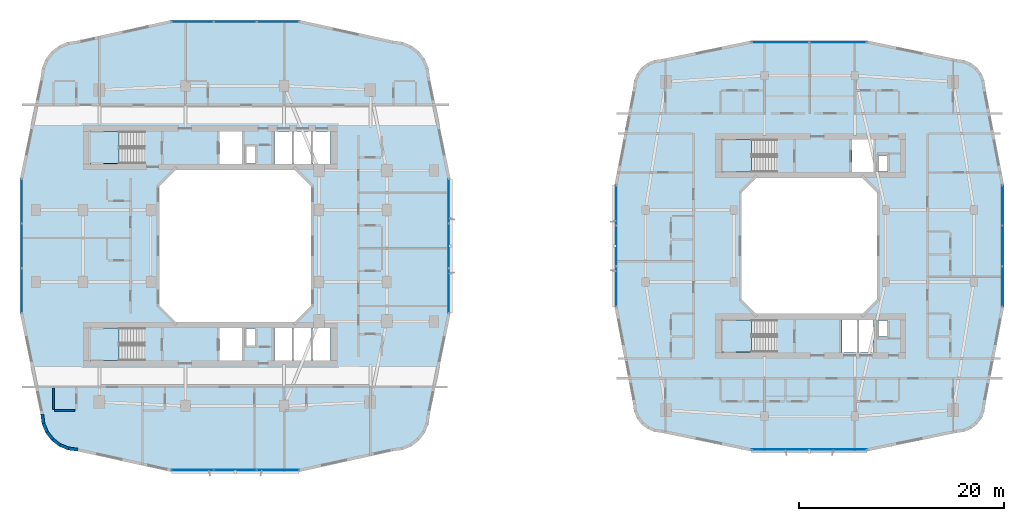
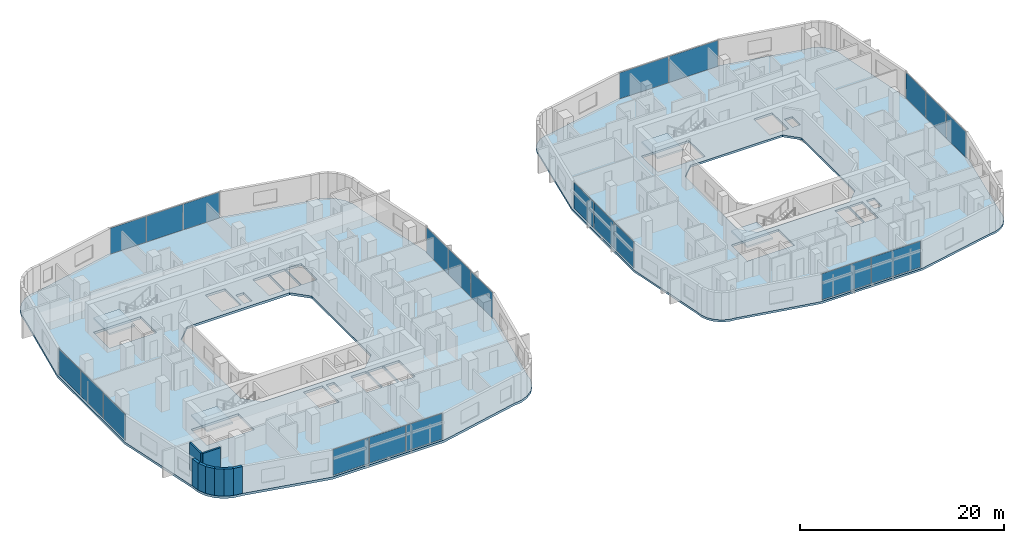
# One storey, part 12 of 27: 22 plates, 8 walls, 6 slabs, 12 elements without a shape of their own.
"""IFC4 building model written with IfcOpenShell, lengths in metres."""

from ifc_helpers import new_model, si_unit, derived_unit, direction, frame, frame_2d, origin, origin_2d, place, context, subcontext, project, spatial, polyline, rectangle, outline, extrude, material, layer, layer_set, type_object, element, aggregate, save


model = new_model("IFC4")

# Units and contexts
model_context = context("Model", 3, precision=1e-05, world=origin(), true_north=direction((0.0, 1.0)))
body_context = subcontext(model_context, "Body", "Model", "MODEL_VIEW")
ifc_project = project(units=[si_unit("LENGTHUNIT", "METRE"), si_unit("AREAUNIT", "SQUARE_METRE"), si_unit("VOLUMEUNIT", "CUBIC_METRE"), si_unit("PLANEANGLEUNIT", "RADIAN"), si_unit("MASSUNIT", "GRAM", prefix="KILO"), derived_unit("THERMALTRANSMITTANCEUNIT", [(si_unit("POWERUNIT", "WATT"), 1), (si_unit("LENGTHUNIT", "METRE"), -2), (si_unit("THERMODYNAMICTEMPERATUREUNIT", "KELVIN"), -1)])], contexts=[model_context])

# Site, building, storey
site_placement = place(None, origin())
site = spatial("IfcSite", under=ifc_project, at=site_placement, CompositionType="ELEMENT")
building_placement = place(site_placement, origin())
building = spatial("IfcBuilding", under=site, at=building_placement, Name="Kivonza Crest Hotel", CompositionType="ELEMENT")
storey_placement = place(building_placement, frame((0.0, 0.0, 38.0)))
storey = spatial("IfcBuildingStorey", under=building, at=storey_placement, Name="L09", CompositionType="ELEMENT", Elevation=38.0)

# Curtain wall, plates
ifc_material_1 = material(Name="Anodised bronze aluminium and low-E double glazing", Category="aluminium")
ifc_layer_1 = layer(ifc_material_1, 0.179931640625)
ifc_layer_set_1 = layer_set([ifc_layer_1], Name="Anodised bronze aluminium and low-E double glazing")
curtain_wall_type_1 = type_object("IfcCurtainWallType", Name="CW-SYS-2", PredefinedType="NOTDEFINED", material=ifc_layer_set_1)
curtain_wall_1_placement = place(storey_placement, origin())
curtain_wall_1 = element("IfcCurtainWall", 1, at=curtain_wall_1_placement, inside=storey, type_object=curtain_wall_type_1, Name="L09 unitised curtain wall CW-T1-L09-08", PredefinedType="NOTDEFINED")
ifc_material_2 = material(Name="Solar-control low-E double glazing", Category="glass")
ifc_layer_2 = layer(ifc_material_2, 0.028076171875)
ifc_layer_set_2 = layer_set([ifc_layer_2], Name="Solar-control low-E double glazing")
plate_type = type_object("IfcPlateType", Name="CW-PNL-28", PredefinedType="CURTAIN_PANEL", material=ifc_layer_set_2)
plate_1_placement = place(storey_placement, frame((16.890869140625, 3.159912109375, 0.06494140625), z_axis=(0.0, 0.0, 1.0), x_axis=(1.0, 0.0, 0.0)))
plate_1 = element("IfcPlate", 2, at=plate_1_placement, type_object=plate_type, Name="CW-2 panel 1.1", PredefinedType="CURTAIN_PANEL", context=body_context, shape_type="SweptSolid", body=[
    extrude(rectangle(XDim=4.06787109375, YDim=0.028076171875, at=origin_2d()), origin(), (0.0, 0.0, 1.0), 3.090087890625),
])
plate_2_placement = place(storey_placement, frame((21.0400390625, 3.159912109375, 0.06494140625), z_axis=(0.0, 0.0, 1.0), x_axis=(1.0, 0.0, 0.0)))
plate_2 = element("IfcPlate", 3, at=plate_2_placement, type_object=plate_type, Name="CW-2 panel 2.1", PredefinedType="CURTAIN_PANEL", context=body_context, shape_type="SweptSolid", body=[
    extrude(rectangle(XDim=4.100341796875, YDim=0.028076171875, at=origin_2d()), origin(), (0.0, 0.0, 1.0), 3.090087890625),
])
plate_3_placement = place(storey_placement, frame((25.18896484375, 3.159912109375, 0.06494140625), z_axis=(0.0, 0.0, 1.0), x_axis=(1.0, 0.0, 0.0)))
plate_3 = element("IfcPlate", 4, at=plate_3_placement, type_object=plate_type, Name="CW-2 panel 3.1", PredefinedType="CURTAIN_PANEL", context=body_context, shape_type="SweptSolid", body=[
    extrude(rectangle(XDim=4.06787109375, YDim=0.028076171875, at=origin_2d()), origin(), (0.0, 0.0, 1.0), 3.090087890625),
])
aggregate(curtain_wall_1, [plate_1, plate_2, plate_3])

curtain_wall_2_placement = place(storey_placement, origin())
curtain_wall_2 = element("IfcCurtainWall", 5, at=curtain_wall_2_placement, inside=storey, type_object=curtain_wall_type_1, Name="L09 unitised curtain wall CW-T1-L09-17", PredefinedType="NOTDEFINED")
plate_4_placement = place(storey_placement, frame((41.840087890625, 20.642822265625, 0.06494140625), z_axis=(0.0, 0.0, 1.0), x_axis=(0.0, 1.0, 0.0)))
plate_4 = element("IfcPlate", 6, at=plate_4_placement, type_object=plate_type, Name="CW-2 panel 1.1", PredefinedType="CURTAIN_PANEL", context=body_context, shape_type="SweptSolid", body=[
    extrude(rectangle(XDim=4.27587890625, YDim=0.028076171875, at=origin_2d()), origin(), (0.0, 0.0, 1.0), 3.090087890625),
])
plate_5_placement = place(storey_placement, frame((41.840087890625, 25.0, 0.06494140625), z_axis=(0.0, 0.0, 1.0), x_axis=(0.0, 1.0, 0.0)))
plate_5 = element("IfcPlate", 7, at=plate_5_placement, type_object=plate_type, Name="CW-2 panel 2.1", PredefinedType="CURTAIN_PANEL", context=body_context, shape_type="SweptSolid", body=[
    extrude(rectangle(XDim=4.308349609375, YDim=0.028076171875, at=origin_2d()), origin(), (0.0, 0.0, 1.0), 3.090087890625),
])
plate_6_placement = place(storey_placement, frame((41.840087890625, 29.357177734375, 0.06494140625), z_axis=(0.0, 0.0, 1.0), x_axis=(0.0, 1.0, 0.0)))
plate_6 = element("IfcPlate", 8, at=plate_6_placement, type_object=plate_type, Name="CW-2 panel 3.1", PredefinedType="CURTAIN_PANEL", context=body_context, shape_type="SweptSolid", body=[
    extrude(rectangle(XDim=4.27587890625, YDim=0.028076171875, at=origin_2d()), origin(), (0.0, 0.0, 1.0), 3.090087890625),
])
aggregate(curtain_wall_2, [plate_4, plate_5, plate_6])

curtain_wall_3_placement = place(storey_placement, origin())
curtain_wall_3 = element("IfcCurtainWall", 9, at=curtain_wall_3_placement, inside=storey, type_object=curtain_wall_type_1, Name="L09 unitised curtain wall CW-T1-L09-26", PredefinedType="NOTDEFINED")
plate_7_placement = place(storey_placement, frame((25.18896484375, 46.840087890625, 0.06494140625), z_axis=(0.0, 0.0, 1.0), x_axis=(-1.0, 0.0, 0.0)))
plate_7 = element("IfcPlate", 10, at=plate_7_placement, type_object=plate_type, Name="CW-2 panel 1.1", PredefinedType="CURTAIN_PANEL", context=body_context, shape_type="SweptSolid", body=[
    extrude(rectangle(XDim=4.06787109375, YDim=0.028076171875, at=origin_2d()), origin(), (0.0, 0.0, 1.0), 3.090087890625),
])
plate_8_placement = place(storey_placement, frame((21.0400390625, 46.840087890625, 0.06494140625), z_axis=(0.0, 0.0, 1.0), x_axis=(-1.0, 0.0, 0.0)))
plate_8 = element("IfcPlate", 11, at=plate_8_placement, type_object=plate_type, Name="CW-2 panel 2.1", PredefinedType="CURTAIN_PANEL", context=body_context, shape_type="SweptSolid", body=[
    extrude(rectangle(XDim=4.100341796875, YDim=0.028076171875, at=origin_2d()), origin(), (0.0, 0.0, 1.0), 3.090087890625),
])
plate_9_placement = place(storey_placement, frame((16.890869140625, 46.840087890625, 0.06494140625), z_axis=(0.0, 0.0, 1.0), x_axis=(-1.0, 0.0, 0.0)))
plate_9 = element("IfcPlate", 12, at=plate_9_placement, type_object=plate_type, Name="CW-2 panel 3.1", PredefinedType="CURTAIN_PANEL", context=body_context, shape_type="SweptSolid", body=[
    extrude(rectangle(XDim=4.06787109375, YDim=0.028076171875, at=origin_2d()), origin(), (0.0, 0.0, 1.0), 3.090087890625),
])
aggregate(curtain_wall_3, [plate_7, plate_8, plate_9])

curtain_wall_4_placement = place(storey_placement, origin())
curtain_wall_4 = element("IfcCurtainWall", 13, at=curtain_wall_4_placement, inside=storey, type_object=curtain_wall_type_1, Name="L09 unitised curtain wall CW-T1-L09-35", PredefinedType="NOTDEFINED")
plate_10_placement = place(storey_placement, frame((0.239990234375, 29.357177734375, 0.06494140625), z_axis=(0.0, 0.0, 1.0), x_axis=(0.0, -1.0, 0.0)))
plate_10 = element("IfcPlate", 14, at=plate_10_placement, type_object=plate_type, Name="CW-2 panel 1.1", PredefinedType="CURTAIN_PANEL", context=body_context, shape_type="SweptSolid", body=[
    extrude(rectangle(XDim=4.27587890625, YDim=0.028076171875, at=origin_2d()), origin(), (0.0, 0.0, 1.0), 3.090087890625),
])
plate_11_placement = place(storey_placement, frame((0.239990234375, 25.0, 0.06494140625), z_axis=(0.0, 0.0, 1.0), x_axis=(0.0, -1.0, 0.0)))
plate_11 = element("IfcPlate", 15, at=plate_11_placement, type_object=plate_type, Name="CW-2 panel 2.1", PredefinedType="CURTAIN_PANEL", context=body_context, shape_type="SweptSolid", body=[
    extrude(rectangle(XDim=4.308349609375, YDim=0.028076171875, at=origin_2d()), origin(), (0.0, 0.0, 1.0), 3.090087890625),
])
plate_12_placement = place(storey_placement, frame((0.239990234375, 20.642822265625, 0.06494140625), z_axis=(0.0, 0.0, 1.0), x_axis=(0.0, -1.0, 0.0)))
plate_12 = element("IfcPlate", 16, at=plate_12_placement, type_object=plate_type, Name="CW-2 panel 3.1", PredefinedType="CURTAIN_PANEL", context=body_context, shape_type="SweptSolid", body=[
    extrude(rectangle(XDim=4.27587890625, YDim=0.028076171875, at=origin_2d()), origin(), (0.0, 0.0, 1.0), 3.090087890625),
])
aggregate(curtain_wall_4, [plate_10, plate_11, plate_12])

ifc_layer_3 = layer(ifc_material_1, 0.179931640625)
ifc_layer_set_3 = layer_set([ifc_layer_3], Name="Anodised bronze aluminium and low-E double glazing")
curtain_wall_type_2 = type_object("IfcCurtainWallType", Name="CW-SYS-4", PredefinedType="NOTDEFINED", material=ifc_layer_set_3)
curtain_wall_5_placement = place(storey_placement, origin())
curtain_wall_5 = element("IfcCurtainWall", 17, at=curtain_wall_5_placement, inside=storey, type_object=curtain_wall_type_2, Name="L09 unitised curtain wall CW-T2-L09-08", PredefinedType="NOTDEFINED")
plate_13_placement = place(storey_placement, frame((74.15234375, 5.159912109375, 0.06494140625), z_axis=(0.0, 0.0, 1.0), x_axis=(1.0, 0.0, 0.0)))
plate_13 = element("IfcPlate", 18, at=plate_13_placement, type_object=plate_type, Name="CW-4 panel 1.1", PredefinedType="CURTAIN_PANEL", context=body_context, shape_type="SweptSolid", body=[
    extrude(rectangle(XDim=5.550537109375, YDim=0.028076171875, at=origin_2d()), origin(), (0.0, 0.0, 1.0), 3.1201171875),
])
plate_14_placement = place(storey_placement, frame((79.767822265625, 5.159912109375, 0.06494140625), z_axis=(0.0, 0.0, 1.0), x_axis=(1.0, 0.0, 0.0)))
plate_14 = element("IfcPlate", 19, at=plate_14_placement, type_object=plate_type, Name="CW-4 panel 2.1", PredefinedType="CURTAIN_PANEL", context=body_context, shape_type="SweptSolid", body=[
    extrude(rectangle(XDim=5.550537109375, YDim=0.028076171875, at=origin_2d()), origin(), (0.0, 0.0, 1.0), 3.1201171875),
])
aggregate(curtain_wall_5, [plate_13, plate_14])

curtain_wall_6_placement = place(storey_placement, origin())
curtain_wall_6 = element("IfcCurtainWall", 20, at=curtain_wall_6_placement, inside=storey, type_object=curtain_wall_type_2, Name="L09 unitised curtain wall CW-T2-L09-17", PredefinedType="NOTDEFINED")
plate_15_placement = place(storey_placement, frame((95.760009765625, 21.04296875, 0.06494140625), z_axis=(0.0, 0.0, 1.0), x_axis=(0.0, 1.0, 0.0)))
plate_15 = element("IfcPlate", 21, at=plate_15_placement, type_object=plate_type, Name="CW-4 panel 1.1", PredefinedType="CURTAIN_PANEL", context=body_context, shape_type="SweptSolid", body=[
    extrude(rectangle(XDim=3.875732421875, YDim=0.028076171875, at=origin_2d()), origin(), (0.0, 0.0, 1.0), 3.1201171875),
])
plate_16_placement = place(storey_placement, frame((95.760009765625, 25.0, 0.06494140625), z_axis=(0.0, 0.0, 1.0), x_axis=(0.0, 1.0, 0.0)))
plate_16 = element("IfcPlate", 22, at=plate_16_placement, type_object=plate_type, Name="CW-4 panel 2.1", PredefinedType="CURTAIN_PANEL", context=body_context, shape_type="SweptSolid", body=[
    extrude(rectangle(XDim=3.908447265625, YDim=0.028076171875, at=origin_2d()), origin(), (0.0, 0.0, 1.0), 3.1201171875),
])
plate_17_placement = place(storey_placement, frame((95.760009765625, 28.95703125, 0.06494140625), z_axis=(0.0, 0.0, 1.0), x_axis=(0.0, 1.0, 0.0)))
plate_17 = element("IfcPlate", 23, at=plate_17_placement, type_object=plate_type, Name="CW-4 panel 3.1", PredefinedType="CURTAIN_PANEL", context=body_context, shape_type="SweptSolid", body=[
    extrude(rectangle(XDim=3.875732421875, YDim=0.028076171875, at=origin_2d()), origin(), (0.0, 0.0, 1.0), 3.1201171875),
])
aggregate(curtain_wall_6, [plate_15, plate_16, plate_17])

curtain_wall_7_placement = place(storey_placement, origin())
curtain_wall_7 = element("IfcCurtainWall", 24, at=curtain_wall_7_placement, inside=storey, type_object=curtain_wall_type_2, Name="L09 unitised curtain wall CW-T2-L09-26", PredefinedType="NOTDEFINED")
plate_18_placement = place(storey_placement, frame((79.767822265625, 44.840087890625, 0.06494140625), z_axis=(0.0, 0.0, 1.0), x_axis=(-1.0, 0.0, 0.0)))
plate_18 = element("IfcPlate", 25, at=plate_18_placement, type_object=plate_type, Name="CW-4 panel 1.1", PredefinedType="CURTAIN_PANEL", context=body_context, shape_type="SweptSolid", body=[
    extrude(rectangle(XDim=5.550537109375, YDim=0.028076171875, at=origin_2d()), origin(), (0.0, 0.0, 1.0), 3.1201171875),
])
plate_19_placement = place(storey_placement, frame((74.15234375, 44.840087890625, 0.06494140625), z_axis=(0.0, 0.0, 1.0), x_axis=(-1.0, 0.0, 0.0)))
plate_19 = element("IfcPlate", 26, at=plate_19_placement, type_object=plate_type, Name="CW-4 panel 2.1", PredefinedType="CURTAIN_PANEL", context=body_context, shape_type="SweptSolid", body=[
    extrude(rectangle(XDim=5.550537109375, YDim=0.028076171875, at=origin_2d()), origin(), (0.0, 0.0, 1.0), 3.1201171875),
])
aggregate(curtain_wall_7, [plate_18, plate_19])

curtain_wall_8_placement = place(storey_placement, origin())
curtain_wall_8 = element("IfcCurtainWall", 27, at=curtain_wall_8_placement, inside=storey, type_object=curtain_wall_type_2, Name="L09 unitised curtain wall CW-T2-L09-35", PredefinedType="NOTDEFINED")
plate_20_placement = place(storey_placement, frame((58.159912109375, 28.95703125, 0.06494140625), z_axis=(0.0, 0.0, 1.0), x_axis=(0.0, -1.0, 0.0)))
plate_20 = element("IfcPlate", 28, at=plate_20_placement, type_object=plate_type, Name="CW-4 panel 1.1", PredefinedType="CURTAIN_PANEL", context=body_context, shape_type="SweptSolid", body=[
    extrude(rectangle(XDim=3.875732421875, YDim=0.028076171875, at=origin_2d()), origin(), (0.0, 0.0, 1.0), 3.1201171875),
])
plate_21_placement = place(storey_placement, frame((58.159912109375, 25.0, 0.06494140625), z_axis=(0.0, 0.0, 1.0), x_axis=(0.0, -1.0, 0.0)))
plate_21 = element("IfcPlate", 29, at=plate_21_placement, type_object=plate_type, Name="CW-4 panel 2.1", PredefinedType="CURTAIN_PANEL", context=body_context, shape_type="SweptSolid", body=[
    extrude(rectangle(XDim=3.908447265625, YDim=0.028076171875, at=origin_2d()), origin(), (0.0, 0.0, 1.0), 3.1201171875),
])
plate_22_placement = place(storey_placement, frame((58.159912109375, 21.04296875, 0.06494140625), z_axis=(0.0, 0.0, 1.0), x_axis=(0.0, -1.0, 0.0)))
plate_22 = element("IfcPlate", 30, at=plate_22_placement, type_object=plate_type, Name="CW-4 panel 3.1", PredefinedType="CURTAIN_PANEL", context=body_context, shape_type="SweptSolid", body=[
    extrude(rectangle(XDim=3.875732421875, YDim=0.028076171875, at=origin_2d()), origin(), (0.0, 0.0, 1.0), 3.1201171875),
])
aggregate(curtain_wall_8, [plate_20, plate_21, plate_22])

# Slab
ifc_material_3 = material(Name="Concrete C40/50", Category="concrete")
ifc_layer_4 = layer(ifc_material_3, 0.280029296875)
ifc_layer_set_4 = layer_set([ifc_layer_4], Name="Concrete C40/50")
slab_type_1 = type_object("IfcSlabType", Name="SL-HTL-280", PredefinedType="FLOOR", material=ifc_layer_set_4)
slab_1_placement = place(storey_placement, frame((0.0, 0.0, -0.280029296875)))
element("IfcSlab", 31, at=slab_1_placement, inside=storey, type_object=slab_type_1, Name="Tower T1 L09 floor slab", PredefinedType="FLOOR", context=body_context, shape_type="SweptSolid", body=[
    extrude(outline(polyline([(2.080078125, 8.60009765625), (2.202880859375, 7.66796875), (2.56201171875, 6.800048828125), (3.134033203125, 6.053955078125), (3.8798828125, 5.48193359375), (4.748046875, 5.123046875), (5.679931640625, 5.0), (14.751953125, 3.0), (27.327880859375, 3.0), (36.39990234375, 5.0), (37.33203125, 5.123046875), (38.199951171875, 5.48193359375), (38.946044921875, 6.053955078125), (39.51806640625, 6.800048828125), (39.876953125, 7.66796875), (40.0, 8.60009765625), (42.0, 18.39990234375), (42.0, 31.60009765625), (40.0, 41.39990234375), (39.876953125, 42.33203125), (39.51806640625, 43.199951171875), (38.946044921875, 43.946044921875), (38.199951171875, 44.51806640625), (37.33203125, 44.876953125), (36.39990234375, 45.0), (27.327880859375, 47.0), (14.751953125, 47.0), (5.679931640625, 45.0), (4.748046875, 44.876953125), (3.8798828125, 44.51806640625), (3.134033203125, 43.946044921875), (2.56201171875, 43.199951171875), (2.202880859375, 42.33203125), (2.080078125, 41.39990234375), (0.080078125, 31.60009765625), (0.080078125, 18.39990234375), (2.080078125, 8.60009765625)]), holes=[polyline([(15.239990234375, 17.60009765625), (26.840087890625, 17.60009765625), (28.43994140625, 19.199951171875), (28.43994140625, 30.800048828125), (26.840087890625, 32.39990234375), (15.239990234375, 32.39990234375), (13.639892578125, 30.800048828125), (13.639892578125, 19.199951171875), (15.239990234375, 17.60009765625)]), polyline([(6.800048828125, 33.02001953125), (12.159912109375, 33.02001953125), (12.159912109375, 36.159912109375), (6.800048828125, 36.159912109375), (6.800048828125, 33.02001953125)]), polyline([(6.800048828125, 13.860107421875), (12.159912109375, 13.860107421875), (12.159912109375, 17.0), (6.800048828125, 17.0), (6.800048828125, 13.860107421875)]), polyline([(22.080078125, 33.0400390625), (22.969970703125, 33.0400390625), (22.969970703125, 34.679931640625), (22.080078125, 34.679931640625), (22.080078125, 33.0400390625)]), polyline([(22.080078125, 15.320068359375), (22.969970703125, 15.320068359375), (22.969970703125, 16.9599609375), (22.080078125, 16.9599609375), (22.080078125, 15.320068359375)]), polyline([(19.5, 33.0), (21.699951171875, 33.0), (21.699951171875, 36.159912109375), (19.5, 36.159912109375), (19.5, 33.0)]), polyline([(24.860107421875, 33.0), (26.60693359375, 33.0), (26.60693359375, 36.159912109375), (24.860107421875, 36.159912109375), (24.860107421875, 33.0)]), polyline([(26.72705078125, 33.0), (28.472900390625, 33.0), (28.472900390625, 36.159912109375), (26.72705078125, 36.159912109375), (26.72705078125, 33.0)]), polyline([(28.593017578125, 33.0), (30.340087890625, 33.0), (30.340087890625, 36.159912109375), (28.593017578125, 36.159912109375), (28.593017578125, 33.0)]), polyline([(19.5, 13.840087890625), (21.699951171875, 13.840087890625), (21.699951171875, 17.0), (19.5, 17.0), (19.5, 13.840087890625)]), polyline([(24.860107421875, 13.840087890625), (26.60693359375, 13.840087890625), (26.60693359375, 17.0), (24.860107421875, 17.0), (24.860107421875, 13.840087890625)]), polyline([(26.72705078125, 13.840087890625), (28.472900390625, 13.840087890625), (28.472900390625, 17.0), (26.72705078125, 17.0), (26.72705078125, 13.840087890625)]), polyline([(28.593017578125, 13.840087890625), (30.340087890625, 13.840087890625), (30.340087890625, 17.0), (28.593017578125, 17.0), (28.593017578125, 13.840087890625)])]), origin(), (0.0, 0.0, 1.0), 0.280029296875),
])

# Stair, slab
stair_type = type_object("IfcStairType", Name="ST-DL-20R", PredefinedType="HALF_TURN_STAIR", material=ifc_material_3)
stair_1_placement = place(storey_placement, origin())
stair_1 = element("IfcStair", 32, at=stair_1_placement, inside=storey, type_object=stair_type, Name="L09 Protected Exit Stair ST-T1-N", PredefinedType="HALF_TURN_STAIR")
ifc_layer_5 = layer(ifc_material_3, 0.199951171875)
ifc_layer_set_5 = layer_set([ifc_layer_5], Name="Concrete C40/50")
slab_type_2 = type_object("IfcSlabType", Name="SL-LAND-200", PredefinedType="LANDING", material=ifc_layer_set_5)
slab_2_placement = place(storey_placement, frame((0.0, 0.0, 1.550048828125)))
slab_2 = element("IfcSlab", 33, at=slab_2_placement, type_object=slab_type_2, Name="ST-T1-N landing 1", PredefinedType="LANDING", context=body_context, shape_type="SweptSolid", body=[
    extrude(outline(polyline([(9.719970703125, 36.159912109375), (6.800048828125, 36.159912109375), (6.800048828125, 33.02001953125), (9.719970703125, 33.02001953125), (9.719970703125, 36.159912109375)])), origin(), (0.0, 0.0, 1.0), 0.199951171875),
])
aggregate(stair_1, [slab_2])

stair_2_placement = place(storey_placement, origin())
stair_2 = element("IfcStair", 34, at=stair_2_placement, inside=storey, type_object=stair_type, Name="L09 Protected Exit Stair ST-T1-S", PredefinedType="HALF_TURN_STAIR")
slab_3_placement = place(storey_placement, frame((0.0, 0.0, 1.550048828125)))
slab_3 = element("IfcSlab", 35, at=slab_3_placement, type_object=slab_type_2, Name="ST-T1-S landing 1", PredefinedType="LANDING", context=body_context, shape_type="SweptSolid", body=[
    extrude(outline(polyline([(9.719970703125, 17.0), (6.800048828125, 17.0), (6.800048828125, 13.860107421875), (9.719970703125, 13.860107421875), (9.719970703125, 17.0)])), origin(), (0.0, 0.0, 1.0), 0.199951171875),
])
aggregate(stair_2, [slab_3])

stair_3_placement = place(storey_placement, origin())
stair_3 = element("IfcStair", 36, at=stair_3_placement, inside=storey, type_object=stair_type, Name="L09 Protected Exit Stair ST-T2-N", PredefinedType="HALF_TURN_STAIR")
slab_4_placement = place(storey_placement, frame((0.0, 0.0, 1.550048828125)))
slab_4 = element("IfcSlab", 37, at=slab_4_placement, type_object=slab_type_2, Name="ST-T2-N landing 1", PredefinedType="LANDING", context=body_context, shape_type="SweptSolid", body=[
    extrude(outline(polyline([(71.320068359375, 35.360107421875), (68.39990234375, 35.360107421875), (68.39990234375, 32.219970703125), (71.320068359375, 32.219970703125), (71.320068359375, 35.360107421875)])), origin(), (0.0, 0.0, 1.0), 0.199951171875),
])
aggregate(stair_3, [slab_4])

stair_4_placement = place(storey_placement, origin())
stair_4 = element("IfcStair", 38, at=stair_4_placement, inside=storey, type_object=stair_type, Name="L09 Protected Exit Stair ST-T2-S", PredefinedType="HALF_TURN_STAIR")
slab_5_placement = place(storey_placement, frame((0.0, 0.0, 1.550048828125)))
slab_5 = element("IfcSlab", 39, at=slab_5_placement, type_object=slab_type_2, Name="ST-T2-S landing 1", PredefinedType="LANDING", context=body_context, shape_type="SweptSolid", body=[
    extrude(outline(polyline([(71.320068359375, 17.800048828125), (68.39990234375, 17.800048828125), (68.39990234375, 14.659912109375), (71.320068359375, 14.659912109375), (71.320068359375, 17.800048828125)])), origin(), (0.0, 0.0, 1.0), 0.199951171875),
])
aggregate(stair_4, [slab_5])

# Slab
ifc_layer_6 = layer(ifc_material_3, 0.25)
ifc_layer_set_6 = layer_set([ifc_layer_6], Name="Concrete C40/50")
slab_type_3 = type_object("IfcSlabType", Name="SL-RES-250", PredefinedType="FLOOR", material=ifc_layer_set_6)
slab_6_placement = place(storey_placement, frame((0.0, 0.0, -0.25)))
element("IfcSlab", 40, at=slab_6_placement, inside=storey, type_object=slab_type_3, Name="Companion Tower T2 L09 floor slab", PredefinedType="FLOOR", context=body_context, shape_type="SweptSolid", body=[
    extrude(outline(polyline([(59.800048828125, 9.60009765625), (59.89501953125, 8.875), (60.175048828125, 8.199951171875), (60.6201171875, 7.6201171875), (61.199951171875, 7.175048828125), (61.875, 6.89501953125), (62.60009765625, 6.800048828125), (71.27197265625, 5.0), (82.64794921875, 5.0), (91.320068359375, 6.800048828125), (92.044921875, 6.89501953125), (92.719970703125, 7.175048828125), (93.300048828125, 7.6201171875), (93.7451171875, 8.199951171875), (94.02490234375, 8.875), (94.1201171875, 9.60009765625), (95.919921875, 19.0), (95.919921875, 31.0), (94.1201171875, 40.39990234375), (94.02490234375, 41.125), (93.7451171875, 41.800048828125), (93.300048828125, 42.3798828125), (92.719970703125, 42.824951171875), (92.044921875, 43.10498046875), (91.320068359375, 43.199951171875), (82.64794921875, 45.0), (71.27197265625, 45.0), (62.60009765625, 43.199951171875), (61.875, 43.10498046875), (61.199951171875, 42.824951171875), (60.6201171875, 42.3798828125), (60.175048828125, 41.800048828125), (59.89501953125, 41.125), (59.800048828125, 40.39990234375), (58.0, 31.0), (58.0, 19.0), (59.800048828125, 9.60009765625)]), holes=[polyline([(71.760009765625, 18.39990234375), (82.159912109375, 18.39990234375), (83.56005859375, 19.800048828125), (83.56005859375, 30.199951171875), (82.159912109375, 31.60009765625), (71.760009765625, 31.60009765625), (70.360107421875, 30.199951171875), (70.360107421875, 19.800048828125), (71.760009765625, 18.39990234375)]), polyline([(68.39990234375, 32.219970703125), (73.760009765625, 32.219970703125), (73.760009765625, 35.360107421875), (68.39990234375, 35.360107421875), (68.39990234375, 32.219970703125)]), polyline([(68.39990234375, 14.659912109375), (73.760009765625, 14.659912109375), (73.760009765625, 17.800048828125), (68.39990234375, 17.800048828125), (68.39990234375, 14.659912109375)]), polyline([(83.679931640625, 32.239990234375), (84.570068359375, 32.239990234375), (84.570068359375, 33.820068359375), (83.679931640625, 33.820068359375), (83.679931640625, 32.239990234375)]), polyline([(83.679931640625, 16.179931640625), (84.570068359375, 16.179931640625), (84.570068359375, 17.760009765625), (83.679931640625, 17.760009765625), (83.679931640625, 16.179931640625)]), polyline([(81.10009765625, 32.199951171875), (83.199951171875, 32.199951171875), (83.199951171875, 35.360107421875), (81.10009765625, 35.360107421875), (81.10009765625, 32.199951171875)]), polyline([(80.159912109375, 14.639892578125), (81.639892578125, 14.639892578125), (81.639892578125, 17.800048828125), (80.159912109375, 17.800048828125), (80.159912109375, 14.639892578125)]), polyline([(81.760009765625, 14.639892578125), (83.239990234375, 14.639892578125), (83.239990234375, 17.800048828125), (81.760009765625, 17.800048828125), (81.760009765625, 14.639892578125)])]), origin(), (0.0, 0.0, 1.0), 0.25),
])

# Walls
ifc_material_4 = material(Name="Precast concrete C40/50", Category="concrete")
ifc_layer_7 = layer(ifc_material_4, 0.300048828125)
ifc_layer_set_7 = layer_set([ifc_layer_7], Name="Precast concrete C40/50")
wall_type_1 = type_object("IfcWallType", Name="WL-EXT-300", PredefinedType="STANDARD", material=ifc_layer_set_7)
wall_1_placement = place(storey_placement, frame((2.22802734375, 8.6279296875, 0.0), z_axis=(0.0, 0.0, 1.0), x_axis=(0.131174864804, -0.991359246108, 0.0)))
element("IfcWall", 41, at=wall_1_placement, inside=storey, type_object=wall_type_1, Name="L09 T1 exterior insulated wall 1", PredefinedType="STANDARD", context=body_context, shape_type="SweptSolid", body=[
    extrude(rectangle(XDim=0.93798828125, YDim=0.300048828125, at=frame_2d((0.468994140625, 0.0))), origin(), (0.0, 0.0, 1.0), 3.219970703125),
])
wall_2_placement = place(storey_placement, frame((2.33203125, 7.748046875, 0.0), z_axis=(0.0, 0.0, 1.0), x_axis=(0.382344263057, -0.924019948111, 0.0)))
element("IfcWall", 42, at=wall_2_placement, inside=storey, type_object=wall_type_1, Name="L09 T1 exterior insulated wall 2", PredefinedType="STANDARD", context=body_context, shape_type="SweptSolid", body=[
    extrude(rectangle(XDim=0.95458984375, YDim=0.300048828125, at=frame_2d((0.477294921875, 0.0))), origin(), (0.0, 0.0, 1.0), 3.219970703125),
])
for number, where, z_axis, x_axis, name in (
    (43, (2.666015625, 6.910888671875, 0.0), (0.0, 0.0, 1.0), (0.608474481025, -0.793573440799, 0.0), "L09 T1 exterior insulated wall 3"),
    (44, (3.205078125, 6.18798828125, 0.0), (0.0, 0.0, 1.0), (0.793573440799, -0.608474481025, 0.0), "L09 T1 exterior insulated wall 4"),
):
    element("IfcWall", number, at=place(storey_placement, frame(where, z_axis=z_axis, x_axis=x_axis)), inside=storey, type_object=wall_type_1, Name=name, PredefinedType="STANDARD", context=body_context, shape_type="SweptSolid", body=[
        extrude(rectangle(XDim=0.954833984375, YDim=0.300048828125, at=frame_2d((0.4775390625, 0.0))), origin(), (0.0, 0.0, 1.0), 3.219970703125),
    ])
wall_3_placement = place(storey_placement, frame((3.9140625, 5.631103515625, 0.0), z_axis=(0.0, 0.0, 1.0), x_axis=(0.923982547689, -0.382434636986, 0.0)))
element("IfcWall", 45, at=wall_3_placement, inside=storey, type_object=wall_type_1, Name="L09 T1 exterior insulated wall 5", PredefinedType="STANDARD", context=body_context, shape_type="SweptSolid", body=[
    extrude(rectangle(XDim=0.954345703125, YDim=0.300048828125, at=frame_2d((0.47705078125, 0.0))), origin(), (0.0, 0.0, 1.0), 3.219970703125),
])
wall_4_placement = place(storey_placement, frame((4.742919921875, 5.27490234375, 0.0), z_axis=(0.0, 0.0, 1.0), x_axis=(0.99145856342, -0.130422072598, 0.0)))
element("IfcWall", 46, at=wall_4_placement, inside=storey, type_object=wall_type_1, Name="L09 T1 exterior insulated wall 6", PredefinedType="STANDARD", context=body_context, shape_type="SweptSolid", body=[
    extrude(rectangle(XDim=0.973388671875, YDim=0.300048828125, at=frame_2d((0.48681640625, 0.0))), origin(), (0.0, 0.0, 1.0), 3.219970703125),
])
ifc_material_5 = material(Name="Moisture-resistant plumbing chase partition wall", Category="gypsum")
ifc_layer_8 = layer(ifc_material_5, 0.199951171875)
ifc_layer_set_8 = layer_set([ifc_layer_8], Name="Moisture-resistant plumbing chase partition wall")
wall_type_2 = type_object("IfcWallType", Name="WL-PLUMB-200", PredefinedType="PLUMBINGWALL", material=ifc_layer_set_8)
wall_5_placement = place(storey_placement, frame((3.449951171875, 8.949951171875, 0.0), z_axis=(0.0, 0.0, 1.0), x_axis=(1.0, 0.0, 0.0)))
element("IfcWall", 47, at=wall_5_placement, inside=storey, type_object=wall_type_2, Name="L09 interior partition WW-L09-S04-BH", PredefinedType="PLUMBINGWALL", context=body_context, shape_type="SweptSolid", body=[
    extrude(rectangle(XDim=2.0, YDim=0.199951171875, at=frame_2d((1.0, 0.0))), origin(), (0.0, 0.0, 1.0), 3.219970703125),
])
wall_6_placement = place(storey_placement, frame((3.35009765625, 9.050048828125, 0.0), z_axis=(0.0, 0.0, 1.0), x_axis=(0.0, 1.0, 0.0)))
element("IfcWall", 48, at=wall_6_placement, inside=storey, type_object=wall_type_2, Name="L09 interior partition WW-L09-S04-BVW", PredefinedType="PLUMBINGWALL", context=body_context, shape_type="SweptSolid", body=[
    extrude(rectangle(XDim=2.099853515625, YDim=0.199951171875, at=frame_2d((1.0498046875, 0.0))), origin(), (0.0, 0.0, 1.0), 3.219970703125),
])

save(model, "model.ifc")
